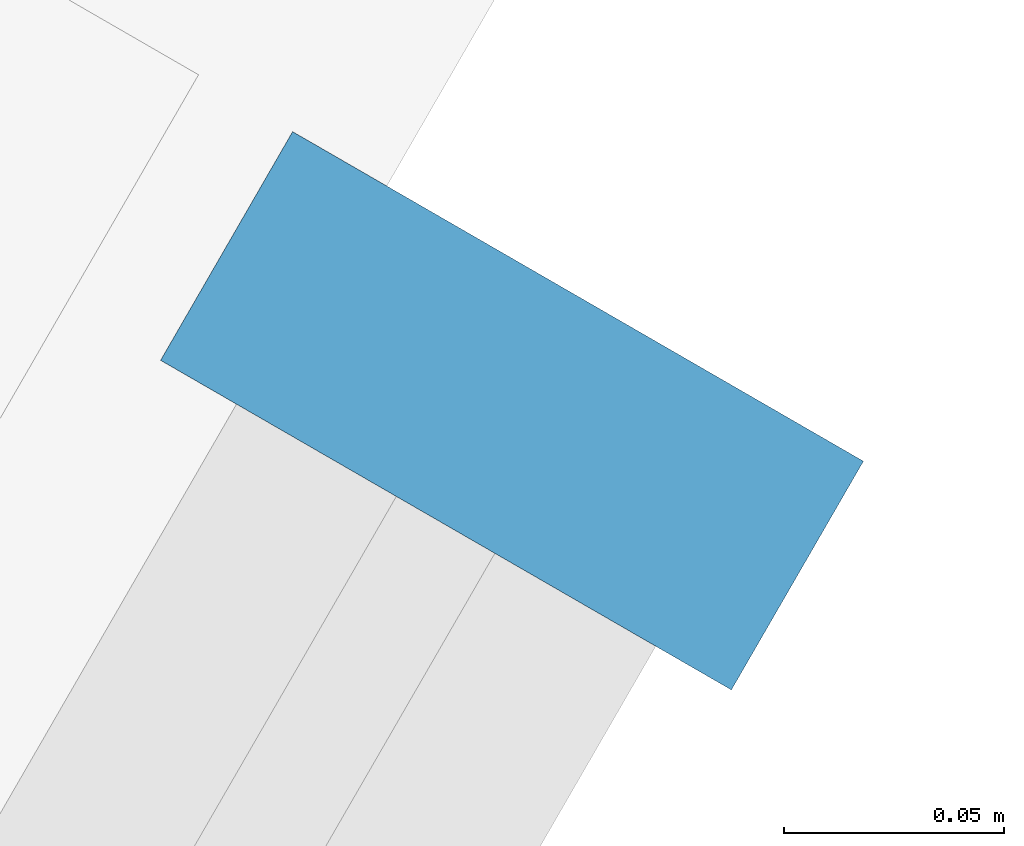
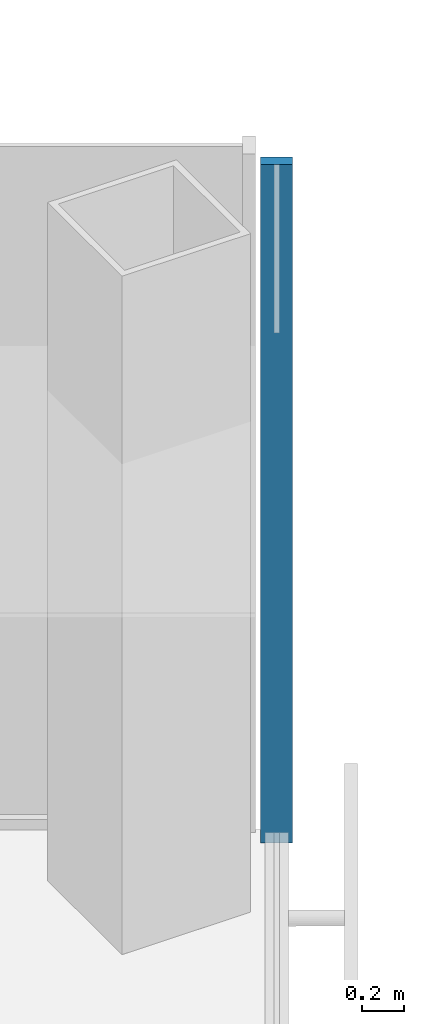
# One storey, part 9 of 18: 1 member, 1 element without a shape of its own.
"""IFC4 building model written with IfcOpenShell, lengths in metres."""

from ifc_helpers import new_model, si_unit, direction, frame, origin, origin_2d, place, context, subcontext, project, spatial, rectangle, extrude, material, material_profile, profile_set, type_object, element, aggregate, save


model = new_model("IFC4")

# Units and contexts
model_context = context("Model", 3, precision=1e-05, world=origin(), true_north=direction((0.0, 1.0)))
body_context = subcontext(model_context, "Body", "Model", "MODEL_VIEW")
ifc_project = project(units=[si_unit("LENGTHUNIT", "METRE"), si_unit("AREAUNIT", "SQUARE_METRE"), si_unit("VOLUMEUNIT", "CUBIC_METRE"), si_unit("PLANEANGLEUNIT", "RADIAN"), si_unit("MASSUNIT", "GRAM", prefix="KILO")], contexts=[model_context])

# Site, building, storey
site_placement = place(None, origin())
site = spatial("IfcSite", under=ifc_project, at=site_placement, CompositionType="ELEMENT")
building_placement = place(site_placement, origin())
building = spatial("IfcBuilding", under=site, at=building_placement, Name="Kasaneha Research Tower", CompositionType="ELEMENT")
storey_placement = place(building_placement, frame((0.0, 0.0, 168.199951171875)))
storey = spatial("IfcBuildingStorey", under=building, at=storey_placement, Name="L42", CompositionType="ELEMENT", Elevation=168.199951171875)

# Curtain wall, member
ifc_material_1 = material(Name="Glass and aluminium", Category="aluminium")
curtain_wall_type = type_object("IfcCurtainWallType", Name="Mid-rise office curtain wall", PredefinedType="USERDEFINED", material=ifc_material_1)
curtain_wall_placement = place(storey_placement, origin())
curtain_wall = element("IfcCurtainWall", 1, at=curtain_wall_placement, inside=storey, type_object=curtain_wall_type, Name="CW-O2 L42 run 04a", ObjectType="UNITISED CURTAIN WALL", PredefinedType="USERDEFINED")
ifc_material_2 = material(Name="Aluminium 6063-T6", Category="aluminium")
ifc_material_profile = material_profile(ifc_material_2, rectangle(XDim=0.06005859375, YDim=0.14990234375, at=origin_2d()), Name="CW-O2 mullion 60x150")
ifc_profile_set = profile_set([ifc_material_profile], Name="Aluminium 6063-T6")
member_type = type_object("IfcMemberType", Name="CW-O2 mullion", PredefinedType="MULLION", material=ifc_profile_set)
member_placement = place(storey_placement, frame((32.012939453125, -6.39306640625, 0.0), z_axis=(0.0, 0.0, 1.0), x_axis=(0.500000011442, 0.866025397178, 0.0)))
member = element("IfcMember", 2, at=member_placement, type_object=member_type, Name="CW-O2 mullion 4", PredefinedType="MULLION", context=body_context, shape_type="SweptSolid", body=[
    extrude(rectangle(XDim=0.06005859375, YDim=0.14990234375, at=origin_2d()), origin(), (0.0, 0.0, 1.0), 3.900146484375),
])
aggregate(curtain_wall, [member])

save(model, "model.ifc")
